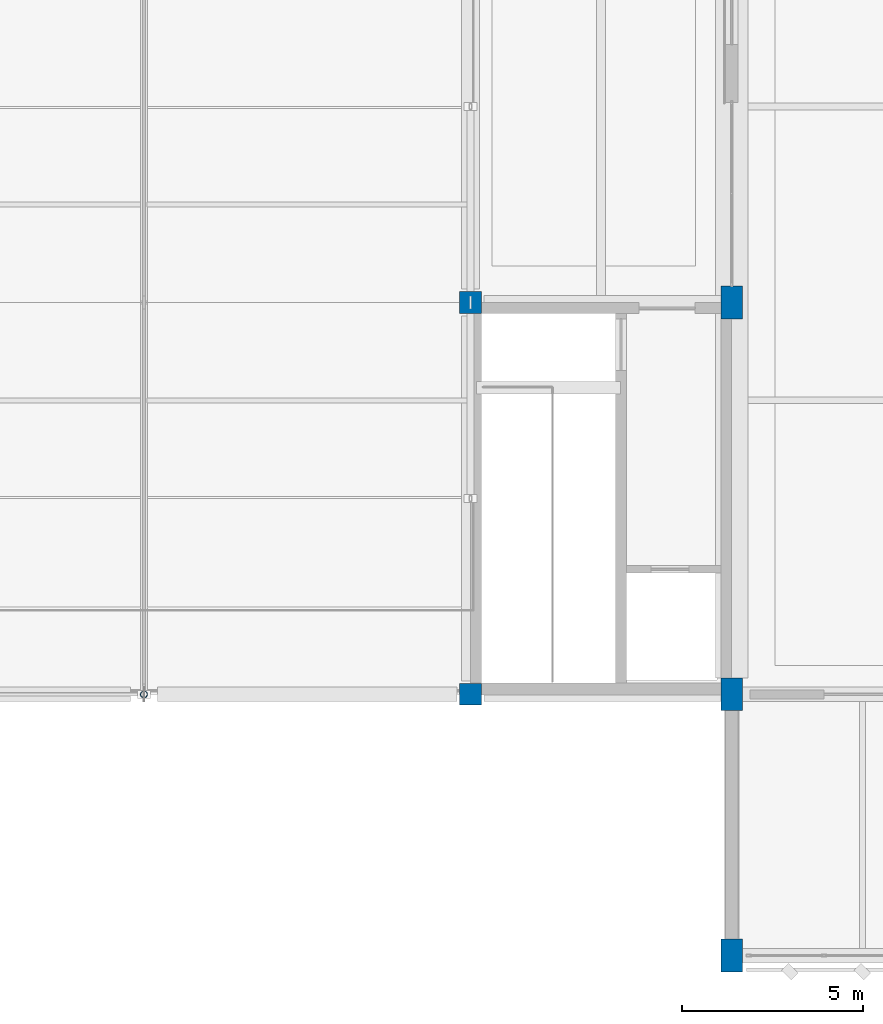
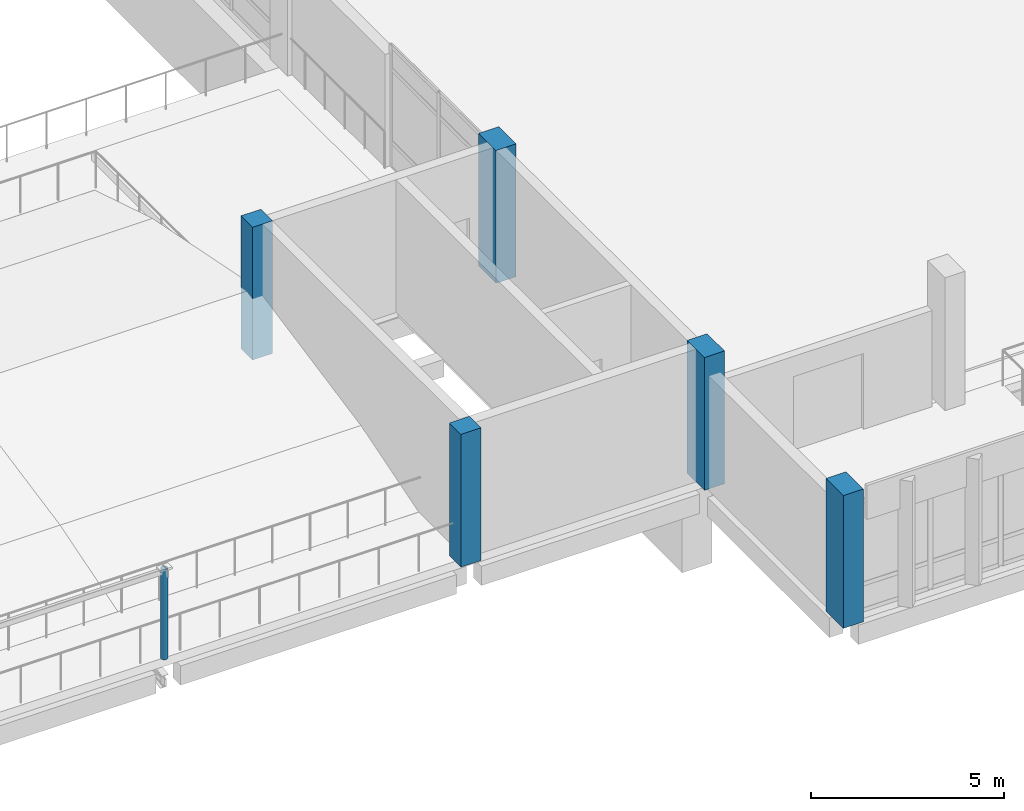
# One storey, part 3 of 158: 6 columns.
"""IFC4 building model written with IfcOpenShell, lengths in metres."""

import ifcopenshell
import ifcopenshell.guid

model = None  # the IFC model being written
_history = None  # IfcOwnerHistory: only IFC2X3 demands one
_inside = {}  # id of a spatial element -> (the spatial element, [elements in it])
_under = {}  # id of a project, library or spatial element -> (it, [spatial elements below it])
_declared = {}  # id of a project -> (the project, [libraries it declares])
_typed = {}  # id of a type object -> (the type object, [elements of that type])
_made_of = {}  # id of a material, layer set ... -> (it, [elements and type objects made of it])


def new_model(schema):
    """Start an empty IFC model of exactly this schema.

    Asked for "IFC4X3", IfcOpenShell would pick the latest addendum, in which some entities
    have other attributes; the version numbers below select the first issue.
    IFC2X3 requires an IfcOwnerHistory on every rooted entity: one is made here for all.
    """
    global model, _history
    if schema == "IFC4X3":
        model = ifcopenshell.file(schema_version=(4, 3, 0, 0))
    else:
        model = ifcopenshell.file(schema=schema)
    _inside.clear()
    _under.clear()
    _declared.clear()
    _typed.clear()
    _made_of.clear()
    _history = None
    if model.schema == "IFC2X3":
        org = make("IfcOrganization", Name="unknown")
        user = make(
            "IfcPersonAndOrganization",
            ThePerson=make("IfcPerson", FamilyName="unknown"),
            TheOrganization=org,
        )
        app = make(
            "IfcApplication",
            ApplicationDeveloper=org,
            Version="unknown",
            ApplicationFullName="unknown",
            ApplicationIdentifier="unknown",
        )
        _history = make(
            "IfcOwnerHistory",
            OwningUser=user,
            OwningApplication=app,
            ChangeAction="ADDED",
            CreationDate=0,
        )
    return model


def make(cls, **values):
    """One entity of the class cls with the attributes given. An attribute that is None is left unset."""
    return model.create_entity(
        cls, **{name: value for name, value in values.items() if value is not None}
    )


def rooted(cls, **values):
    """An entity with a GlobalId (a new one), such as an element, a storey or a relation."""
    return make(cls, GlobalId=ifcopenshell.guid.new(), OwnerHistory=_history, **values)


def si_unit(unit_type, name, prefix=None):
    """IfcSIUnit, for example si_unit("LENGTHUNIT", "METRE", prefix="MILLI")."""
    return make("IfcSIUnit", UnitType=unit_type, Prefix=prefix, Name=name)


def assignment(units):
    """IfcUnitAssignment: the units of a project."""
    return None if units is None else make("IfcUnitAssignment", Units=units)


def point(xyz):
    """IfcCartesianPoint."""
    return None if xyz is None else make("IfcCartesianPoint", Coordinates=xyz)


def direction(xyz):
    """IfcDirection."""
    return None if xyz is None else make("IfcDirection", DirectionRatios=xyz)


def frame(location, z_axis=None, x_axis=None):
    """IfcAxis2Placement3D, a coordinate frame: its origin and axes. An axis left out is left unset."""
    return make(
        "IfcAxis2Placement3D",
        Location=point(location),
        Axis=direction(z_axis),
        RefDirection=direction(x_axis),
    )


def frame_2d(location, x_axis=None):
    """IfcAxis2Placement2D, a coordinate frame in the plane: its origin and x axis."""
    return make(
        "IfcAxis2Placement2D", Location=point(location), RefDirection=direction(x_axis)
    )


def origin():
    """The frame at (0, 0, 0) with its axes left unset."""
    return frame((0.0, 0.0, 0.0))


def origin_2d():
    """The frame at (0, 0) in the plane with its x axis left unset."""
    return frame_2d((0.0, 0.0))


def place(relative_to, where):
    """IfcLocalPlacement: puts the frame where relative to a parent placement (None: the world)."""
    return make(
        "IfcLocalPlacement", PlacementRelTo=relative_to, RelativePlacement=where
    )


def context(
    kind, dimensions, precision=None, world=None, true_north=None, identifier=None
):
    """IfcGeometricRepresentationContext, for example the 3D "Model" context."""
    return make(
        "IfcGeometricRepresentationContext",
        ContextIdentifier=identifier,
        ContextType=kind,
        CoordinateSpaceDimension=dimensions,
        Precision=precision,
        WorldCoordinateSystem=world,
        TrueNorth=true_north,
    )


def subcontext(parent, identifier, kind, view, scale=None):
    """IfcGeometricRepresentationSubContext, for example "Body" below "Model"."""
    return make(
        "IfcGeometricRepresentationSubContext",
        ContextIdentifier=identifier,
        ContextType=kind,
        ParentContext=parent,
        TargetScale=scale,
        TargetView=view,
    )


def project(units=None, contexts=None):
    """IfcProject with its units and contexts."""
    return rooted(
        "IfcProject",
        Name="project",
        RepresentationContexts=contexts,
        UnitsInContext=assignment(units),
    )


def spatial(cls, under=None, at=None, **own):
    """A site, building, storey or space (cls), placed at a placement, below another one or the project."""
    s = rooted(cls, ObjectPlacement=at, **own)
    if under is not None:
        _under.setdefault(under.id(), (under, []))[1].append(s)
    return s


def profile(cls, at=None, kind="AREA", **sizes):
    """A parametric profile (cls). Its sizes go by their IFC names, for example OverallWidth=200.0."""
    return make(cls, ProfileType=kind, Position=at, **sizes)


def rectangle(**sizes):
    """IfcRectangleProfileDef."""
    return profile("IfcRectangleProfileDef", **sizes)


def hollow_circle(**sizes):
    """IfcCircleHollowProfileDef."""
    return profile("IfcCircleHollowProfileDef", **sizes)


def extrude(swept, where, along, depth):
    """IfcExtrudedAreaSolid: the profile swept, set in the frame where, extruded along a direction by depth."""
    return make(
        "IfcExtrudedAreaSolid",
        SweptArea=swept,
        Position=where,
        ExtrudedDirection=direction(along),
        Depth=depth,
    )


def shape(context_of_items, identifier, shape_type, items):
    """IfcShapeRepresentation: the items that make up one representation, for example the "Body"."""
    return make(
        "IfcShapeRepresentation",
        ContextOfItems=context_of_items,
        RepresentationIdentifier=identifier,
        RepresentationType=shape_type,
        Items=items,
    )


def material(Name=None, Category=None):
    """IfcMaterial."""
    return make("IfcMaterial", Name=Name, Category=Category)


def material_profile(
    of_material, cross_section, Name=None, Category=None, Priority=None
):
    """IfcMaterialProfile: a cross section and its material."""
    return make(
        "IfcMaterialProfile",
        Name=Name,
        Material=of_material,
        Profile=cross_section,
        Priority=Priority,
        Category=Category,
    )


def profile_set(profiles, Name=None, composite=None):
    """IfcMaterialProfileSet."""
    return make(
        "IfcMaterialProfileSet",
        Name=Name,
        MaterialProfiles=profiles,
        CompositeProfile=composite,
    )


def made_of(thing, what):
    """Note that an element or type object is made of a material, layer set ...; save() writes the relation."""
    if what is not None:
        _made_of.setdefault(what.id(), (what, []))[1].append(thing)
    return thing


def type_object(cls, material=None, **own):
    """A type object (cls), such as IfcWallType, which elements share."""
    return made_of(rooted(cls, **own), material)


def element(
    cls,
    number,
    at=None,
    inside=None,
    cuts=None,
    type_object=None,
    material=None,
    context=None,
    identifier="Body",
    shape_type=None,
    held_by="IfcProductDefinitionShape",
    body=None,
    shapes=None,
    **own,
):
    """One element of the class cls, such as IfcWall. Its Tag is "e" and its number.

    at: its placement. inside: the storey or other place that contains it. cuts: it is an
    opening in that element (IfcRelVoidsElement). A single representation is given by context,
    identifier, shape_type and body (its items); several are given by shapes. held_by: the class
    of the entity that holds the representations. save() writes the other relations.
    """
    e = rooted(cls, Tag="e%d" % number, ObjectPlacement=at, **own)
    if body is not None:
        shapes = [shape(context, identifier, shape_type, body)]
    if shapes is not None:
        e.Representation = make(held_by, Representations=shapes)
    if inside is not None:
        _inside.setdefault(inside.id(), (inside, []))[1].append(e)
    if cuts is not None:
        rooted(
            "IfcRelVoidsElement", RelatingBuildingElement=cuts, RelatedOpeningElement=e
        )
    if type_object is not None:
        _typed.setdefault(type_object.id(), (type_object, []))[1].append(e)
    return made_of(e, material)


def aggregate(whole, parts):
    """IfcRelAggregates: a whole, such as a stair, and the parts it consists of."""
    return rooted("IfcRelAggregates", RelatingObject=whole, RelatedObjects=parts)


def save(model, path):
    """Write the relations noted so far, then the file.

    IfcRelAggregates (storeys below a building ...), IfcRelContainedInSpatialStructure (elements
    in a storey), IfcRelDefinesByType, IfcRelAssociatesMaterial and IfcRelDeclares: one each for
    every whole, place, type object, material and project.
    """
    for whole, parts in _under.values():
        aggregate(whole, parts)
    for where, things in _inside.values():
        rooted(
            "IfcRelContainedInSpatialStructure",
            RelatedElements=things,
            RelatingStructure=where,
        )
    for kind, things in _typed.values():
        rooted("IfcRelDefinesByType", RelatedObjects=things, RelatingType=kind)
    for what, things in _made_of.values():
        rooted("IfcRelAssociatesMaterial", RelatedObjects=things, RelatingMaterial=what)
    for by, libraries in _declared.values():
        rooted("IfcRelDeclares", RelatingContext=by, RelatedDefinitions=libraries)
    model.write(path)


model = new_model("IFC4")

# Units and contexts
model_context = context("Model", 3, precision=1e-05, world=origin(), true_north=direction((0.0, 1.0)))
body_context = subcontext(model_context, "Body", "Model", "MODEL_VIEW")
ifc_project = project(units=[si_unit("LENGTHUNIT", "METRE"), si_unit("AREAUNIT", "SQUARE_METRE"), si_unit("VOLUMEUNIT", "CUBIC_METRE"), si_unit("PLANEANGLEUNIT", "RADIAN"), si_unit("MASSUNIT", "GRAM", prefix="KILO")], contexts=[model_context])

# Site, building, storey
site_placement = place(None, origin())
site = spatial("IfcSite", under=ifc_project, at=site_placement, CompositionType="ELEMENT")
building_placement = place(site_placement, origin())
building = spatial("IfcBuilding", under=site, at=building_placement, Name="Lusvemor Sports Hall", CompositionType="ELEMENT")
storey_placement = place(building_placement, frame((0.0, 0.0, 10.800048828125)))
storey = spatial("IfcBuildingStorey", under=building, at=storey_placement, Name="L02", CompositionType="ELEMENT", Elevation=10.800048828125)

# Columns
ifc_material_1 = material(Name="Concrete C40/50", Category="concrete")
ifc_material_profile_1 = material_profile(ifc_material_1, rectangle(XDim=0.60009765625, YDim=0.89990234375, at=origin_2d()), Name="RC600x900")
ifc_profile_set_1 = profile_set([ifc_material_profile_1], Name="Concrete C40/50")
column_type_1 = type_object("IfcColumnType", Name="COL_STACK_E", PredefinedType="COLUMN", material=ifc_profile_set_1)
for number, where, z_axis, x_axis, name in (
    (1, (118.800048828125, 0.0, 0.0), (0.0, 0.0, 1.0), (1.0, 0.0, 0.0), "Column 13/A (L02)"),
    (2, (118.800048828125, 7.199951171875, 0.0), (0.0, 0.0, 1.0), (1.0, 0.0, 0.0), "Column 13/B (L02)"),
    (3, (118.800048828125, 18.0, 0.0), (0.0, 0.0, 1.0), (1.0, 0.0, 0.0), "Column 13/C (L02)"),
):
    element("IfcColumn", number, at=place(storey_placement, frame(where, z_axis=z_axis, x_axis=x_axis)), inside=storey, type_object=column_type_1, Name=name, PredefinedType="COLUMN", context=body_context, shape_type="SweptSolid", body=[
        extrude(rectangle(XDim=0.60009765625, YDim=0.89990234375, at=origin_2d()), origin(), (0.0, 0.0, 1.0), 4.199951171875),
    ])
ifc_material_2 = material(Name="Steel S355", Category="steel")
ifc_material_profile_2 = material_profile(ifc_material_2, hollow_circle(Radius=0.096923828125, WallThickness=0.010009765625, at=origin_2d()), Name="CHS193.7x10.0")
ifc_profile_set_2 = profile_set([ifc_material_profile_2], Name="Steel S355")
column_type_2 = type_object("IfcColumnType", Name="COL_STAIR_POST", PredefinedType="COLUMN", material=ifc_profile_set_2)
column_placement = place(storey_placement, frame((102.60009765625, 7.199951171875, 0.0), z_axis=(0.0, 0.0, 1.0), x_axis=(1.0, 0.0, 0.0)))
element("IfcColumn", 4, at=column_placement, inside=storey, type_object=column_type_2, Name="Garden Pergola Column PERG-L02-E-1B", PredefinedType="COLUMN", context=body_context, shape_type="SweptSolid", body=[
    extrude(hollow_circle(Radius=0.096923828125, WallThickness=0.010009765625, at=origin_2d()), origin(), (0.0, 0.0, 1.0), 2.849853515625),
])
ifc_material_3 = material(Name="Concrete C40/50", Category="concrete")
ifc_material_profile_3 = material_profile(ifc_material_3, rectangle(XDim=0.60009765625, YDim=0.60009765625, at=origin_2d()), Name="RC600x600")
ifc_profile_set_3 = profile_set([ifc_material_profile_3], Name="Concrete C40/50")
column_type_3 = type_object("IfcColumnType", Name="COL_WING_L", PredefinedType="COLUMN", material=ifc_profile_set_3)
for number, where, z_axis, x_axis, name in (
    (5, (111.60009765625, 7.199951171875, 0.0), (0.0, 0.0, 1.0), (1.0, 0.0, 0.0), "Column 12/B (L02)"),
    (6, (111.60009765625, 18.0, 0.0), (0.0, 0.0, 1.0), (1.0, 0.0, 0.0), "Column 12/C (L02)"),
):
    element("IfcColumn", number, at=place(storey_placement, frame(where, z_axis=z_axis, x_axis=x_axis)), inside=storey, type_object=column_type_3, Name=name, PredefinedType="COLUMN", context=body_context, shape_type="SweptSolid", body=[
        extrude(rectangle(XDim=0.60009765625, YDim=0.60009765625, at=origin_2d()), origin(), (0.0, 0.0, 1.0), 4.199951171875),
    ])

save(model, "model.ifc")
